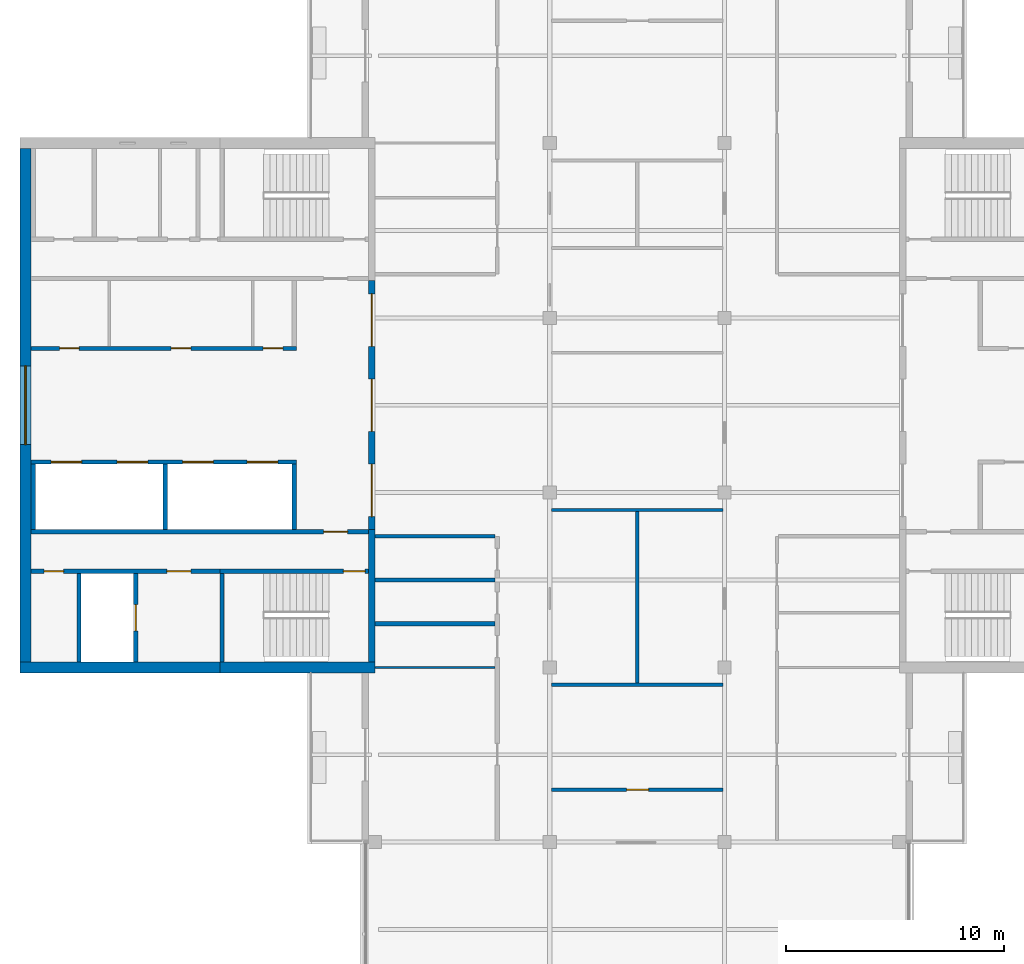
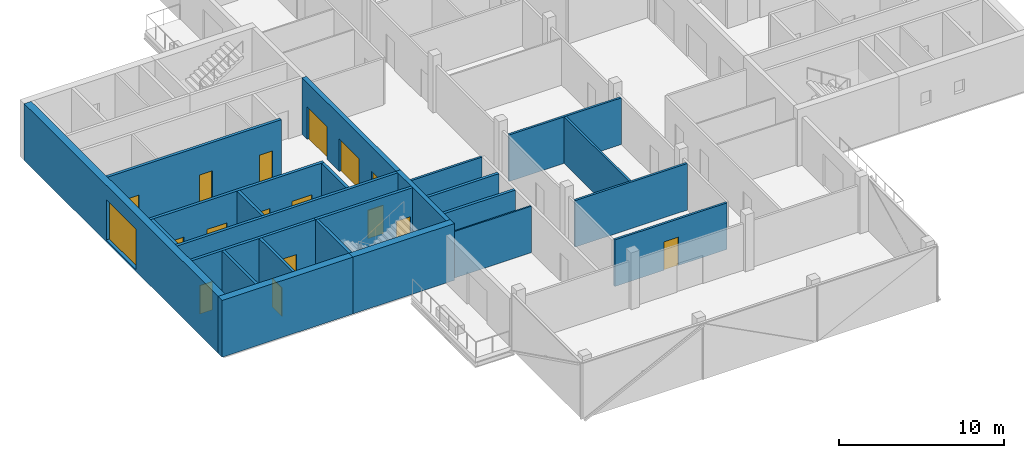
# One storey, part 5 of 12: 24 walls, 16 doors, 1 window, 17 openings.
"""IFC4 building model written with IfcOpenShell, lengths in metres."""

from ifc_helpers import new_model, si_unit, direction, frame, frame_2d, origin, place, context, subcontext, project, spatial, rectangle, extrude, material, layer, layer_set, constituent, constituent_set, type_object, element, fill, save


model = new_model("IFC4")

# Units and contexts
model_context = context("Model", 3, precision=1e-05, world=origin(), true_north=direction((0.0, 1.0)))
body_context = subcontext(model_context, "Body", "Model", "MODEL_VIEW")
ifc_project = project(units=[si_unit("LENGTHUNIT", "METRE"), si_unit("AREAUNIT", "SQUARE_METRE"), si_unit("VOLUMEUNIT", "CUBIC_METRE"), si_unit("PLANEANGLEUNIT", "RADIAN"), si_unit("MASSUNIT", "GRAM", prefix="KILO")], contexts=[model_context])

# Site, building, storey
site_placement = place(None, origin())
site = spatial("IfcSite", under=ifc_project, at=site_placement, CompositionType="ELEMENT")
building_placement = place(site_placement, origin())
building = spatial("IfcBuilding", under=site, at=building_placement, Name="Crosswind Convention Tower", CompositionType="ELEMENT")
storey_placement = place(building_placement, frame((0.0, 0.0, 311.300048828125)))
storey = spatial("IfcBuildingStorey", under=building, at=storey_placement, Name="L67", CompositionType="ELEMENT", Elevation=311.300048828125)

# Walls
ifc_material_1 = material(Name="Concrete blockwork", Category="masonry")
ifc_layer_1 = layer(ifc_material_1, 0.199951171875)
ifc_layer_set_1 = layer_set([ifc_layer_1], Name="COMPARTMENT WALL 200 BLOCKWORK")
wall_type_1 = type_object("IfcWallType", Name="COMPARTMENT WALL 200 BLOCKWORK", PredefinedType="SOLIDWALL", material=ifc_layer_set_1)
for number, where, z_axis, x_axis, name in (
    (1, (113.0, 90.0, 0.0), (0.0, 0.0, 1.0), (1.0, 0.0, 0.0), "Compartment wall WT42"),
    (2, (113.0, 92.0, 0.0), (0.0, 0.0, 1.0), (1.0, 0.0, 0.0), "Compartment wall WT42"),
):
    element("IfcWall", number, at=place(storey_placement, frame(where, z_axis=z_axis, x_axis=x_axis)), inside=storey, type_object=wall_type_1, Name=name, PredefinedType="SOLIDWALL", context=body_context, shape_type="SweptSolid", body=[
        extrude(rectangle(XDim=5.5, YDim=0.199951171875, at=frame_2d((2.75, 0.0))), origin(), (0.0, 0.0, 1.0), 3.44287109375),
    ])

# Wall, openings, doors
ifc_material_2 = material(Name="Concrete C50/60", Category="concrete")
ifc_layer_2 = layer(ifc_material_2, 0.300048828125)
ifc_layer_set_2 = layer_set([ifc_layer_2], Name="Concrete C50/60")
wall_type_2 = type_object("IfcWallType", Name="Concrete inner core wall 300", PredefinedType="SHEAR", material=ifc_layer_set_2)
wall_1_placement = place(storey_placement, frame((112.85009765625, 105.699951171875, 0.0), z_axis=(0.0, 0.0, 1.0), x_axis=(0.0, -1.0, 0.0)))
wall_1 = element("IfcWall", 3, at=wall_1_placement, inside=storey, type_object=wall_type_2, Name="Wall SCR W L67", PredefinedType="SHEAR", context=body_context, shape_type="SweptSolid", body=[
    extrude(rectangle(XDim=11.39990234375, YDim=0.300048828125, at=frame_2d((5.699951171875, 0.0))), origin(), (0.0, 0.0, 1.0), 4.199951171875),
])
opening_1_placement = place(wall_1_placement, frame((0.60009765625, 0.0, 0.0)))
opening_1 = element("IfcOpeningElement", 4, at=opening_1_placement, cuts=wall_1, Name="Opening D100", PredefinedType="OPENING", context=body_context, shape_type="SweptSolid", body=[
    extrude(rectangle(XDim=2.39990234375, YDim=2.39990234375, at=frame_2d((1.199951171875, 1.199951171875))), frame((0.0, 0.159912109375, 0.0), z_axis=(0.0, -1.0, 0.0), x_axis=(1.0, 0.0, 0.0)), (0.0, 0.0, 1.0), 0.320068359375),
])
opening_2_placement = place(wall_1_placement, frame((4.5, 0.0, 0.0)))
opening_2 = element("IfcOpeningElement", 5, at=opening_2_placement, cuts=wall_1, Name="Opening D100", PredefinedType="OPENING", context=body_context, shape_type="SweptSolid", body=[
    extrude(rectangle(XDim=2.39990234375, YDim=2.39990234375, at=frame_2d((1.199951171875, 1.199951171875))), frame((0.0, 0.159912109375, 0.0), z_axis=(0.0, -1.0, 0.0), x_axis=(1.0, 0.0, 0.0)), (0.0, 0.0, 1.0), 0.320068359375),
])
opening_3_placement = place(wall_1_placement, frame((8.39990234375, 0.0, 0.0)))
opening_3 = element("IfcOpeningElement", 6, at=opening_3_placement, cuts=wall_1, Name="Opening D100", PredefinedType="OPENING", context=body_context, shape_type="SweptSolid", body=[
    extrude(rectangle(XDim=2.39990234375, YDim=2.39990234375, at=frame_2d((1.199951171875, 1.199951171875))), frame((0.0, 0.159912109375, 0.0), z_axis=(0.0, -1.0, 0.0), x_axis=(1.0, 0.0, 0.0)), (0.0, 0.0, 1.0), 0.320068359375),
])
ifc_material_3 = material(Name="Steel fire door with glazed vision panels", Category="steel")
door_type_1 = type_object("IfcDoorType", Name="Fire-rated double door 2400x2400", OperationType="DOUBLE_DOOR_SINGLE_SWING", PredefinedType="DOOR", material=ifc_material_3)
door_1_placement = place(opening_1_placement, origin())
door_1 = element("IfcDoor", 7, at=door_1_placement, inside=storey, type_object=door_type_1, Name="Lobby door 1 L67", ObjectType="D100", OperationType="DOUBLE_DOOR_SINGLE_SWING", OverallHeight=2.39990234375, OverallWidth=2.39990234375, PredefinedType="DOOR", context=body_context, shape_type="SweptSolid", body=[
    extrude(rectangle(XDim=2.39990234375, YDim=2.39990234375, at=frame_2d((1.199951171875, 1.199951171875))), frame((0.0, 0.02490234375, 0.0), z_axis=(0.0, -1.0, 0.0), x_axis=(1.0, 0.0, 0.0)), (0.0, 0.0, 1.0), 0.050048828125),
])
fill(opening_1, door_1)
door_2_placement = place(opening_2_placement, origin())
door_2 = element("IfcDoor", 8, at=door_2_placement, inside=storey, type_object=door_type_1, Name="Lobby door 2 L67", ObjectType="D100", OperationType="DOUBLE_DOOR_SINGLE_SWING", OverallHeight=2.39990234375, OverallWidth=2.39990234375, PredefinedType="DOOR", context=body_context, shape_type="SweptSolid", body=[
    extrude(rectangle(XDim=2.39990234375, YDim=2.39990234375, at=frame_2d((1.199951171875, 1.199951171875))), frame((0.0, 0.02490234375, 0.0), z_axis=(0.0, -1.0, 0.0), x_axis=(1.0, 0.0, 0.0)), (0.0, 0.0, 1.0), 0.050048828125),
])
fill(opening_2, door_2)
door_3_placement = place(opening_3_placement, origin())
door_3 = element("IfcDoor", 9, at=door_3_placement, inside=storey, type_object=door_type_1, Name="Lobby door 3 L67", ObjectType="D100", OperationType="DOUBLE_DOOR_SINGLE_SWING", OverallHeight=2.39990234375, OverallWidth=2.39990234375, PredefinedType="DOOR", context=body_context, shape_type="SweptSolid", body=[
    extrude(rectangle(XDim=2.39990234375, YDim=2.39990234375, at=frame_2d((1.199951171875, 1.199951171875))), frame((0.0, 0.02490234375, 0.0), z_axis=(0.0, -1.0, 0.0), x_axis=(1.0, 0.0, 0.0)), (0.0, 0.0, 1.0), 0.050048828125),
])
fill(opening_3, door_3)

# Walls
wall_2_placement = place(storey_placement, frame((112.85009765625, 94.300048828125, 0.0), z_axis=(0.0, 0.0, 1.0), x_axis=(0.0, -1.0, 0.0)))
element("IfcWall", 10, at=wall_2_placement, inside=storey, type_object=wall_type_2, Name="Wall EP W L67", PredefinedType="SHEAR", context=body_context, shape_type="SweptSolid", body=[
    extrude(rectangle(XDim=6.050048828125, YDim=0.300048828125, at=frame_2d((3.02490234375, 0.0))), origin(), (0.0, 0.0, 1.0), 4.199951171875),
])
ifc_layer_3 = layer(ifc_material_2, 0.199951171875)
ifc_layer_set_3 = layer_set([ifc_layer_3], Name="Concrete C50/60")
wall_type_3 = type_object("IfcWallType", Name="Concrete shaft and stair wall 200", PredefinedType="SHEAR", material=ifc_layer_set_3)
for number, where, z_axis, x_axis, name in (
    (11, (109.300048828125, 97.300048828125, 0.0), (0.0, 0.0, 1.0), (0.0, -1.0, 0.0), "Wall RPEND W L67"),
    (12, (103.39990234375, 97.300048828125, 0.0), (0.0, 0.0, 1.0), (0.0, -1.0, 0.0), "Wall RPSEP W L67"),
    (13, (97.35009765625, 97.300048828125, 0.0), (0.0, 0.0, 1.0), (0.0, -1.0, 0.0), "Wall RPEAST W L67"),
):
    element("IfcWall", number, at=place(storey_placement, frame(where, z_axis=z_axis, x_axis=x_axis)), inside=storey, type_object=wall_type_3, Name=name, PredefinedType="SHEAR", context=body_context, shape_type="SweptSolid", body=[
        extrude(rectangle(XDim=3.0, YDim=0.199951171875, at=frame_2d((1.5, 0.0))), origin(), (0.0, 0.0, 1.0), 4.199951171875),
    ])

# Wall, openings, doors
wall_3_placement = place(storey_placement, frame((109.39990234375, 97.39990234375, 0.0), z_axis=(0.0, 0.0, 1.0), x_axis=(-1.0, 0.0, 0.0)))
wall_3 = element("IfcWall", 14, at=wall_3_placement, inside=storey, type_object=wall_type_3, Name="Wall RPFRONT W L67", PredefinedType="SHEAR", context=body_context, shape_type="SweptSolid", body=[
    extrude(rectangle(XDim=12.14990234375, YDim=0.199951171875, at=frame_2d((6.074951171875, 0.0))), origin(), (0.0, 0.0, 1.0), 4.199951171875),
])
opening_4_placement = place(wall_3_placement, frame((0.85009765625, 0.0, 0.0)))
opening_4 = element("IfcOpeningElement", 15, at=opening_4_placement, cuts=wall_3, Name="Opening LD2", PredefinedType="OPENING", context=body_context, shape_type="SweptSolid", body=[
    extrude(rectangle(XDim=1.39990234375, YDim=2.10009765625, at=frame_2d((0.699951171875, 1.050048828125))), frame((0.0, 0.10986328125, 0.0), z_axis=(0.0, -1.0, 0.0), x_axis=(1.0, 0.0, 0.0)), (0.0, 0.0, 1.0), 0.219970703125),
])
opening_5_placement = place(wall_3_placement, frame((3.800048828125, 0.0, 0.0)))
opening_5 = element("IfcOpeningElement", 16, at=opening_5_placement, cuts=wall_3, Name="Opening LD2", PredefinedType="OPENING", context=body_context, shape_type="SweptSolid", body=[
    extrude(rectangle(XDim=1.39990234375, YDim=2.10009765625, at=frame_2d((0.699951171875, 1.050048828125))), frame((0.0, 0.10986328125, 0.0), z_axis=(0.0, -1.0, 0.0), x_axis=(1.0, 0.0, 0.0)), (0.0, 0.0, 1.0), 0.219970703125),
])
opening_6_placement = place(wall_3_placement, frame((6.800048828125, 0.0, 0.0)))
opening_6 = element("IfcOpeningElement", 17, at=opening_6_placement, cuts=wall_3, Name="Opening LD2", PredefinedType="OPENING", context=body_context, shape_type="SweptSolid", body=[
    extrude(rectangle(XDim=1.39990234375, YDim=2.10009765625, at=frame_2d((0.699951171875, 1.050048828125))), frame((0.0, 0.10986328125, 0.0), z_axis=(0.0, -1.0, 0.0), x_axis=(1.0, 0.0, 0.0)), (0.0, 0.0, 1.0), 0.219970703125),
])
opening_7_placement = place(wall_3_placement, frame((9.824951171875, 0.0, 0.0)))
opening_7 = element("IfcOpeningElement", 18, at=opening_7_placement, cuts=wall_3, Name="Opening LD2", PredefinedType="OPENING", context=body_context, shape_type="SweptSolid", body=[
    extrude(rectangle(XDim=1.39990234375, YDim=2.10009765625, at=frame_2d((0.699951171875, 1.050048828125))), frame((0.0, 0.10986328125, 0.0), z_axis=(0.0, -1.0, 0.0), x_axis=(1.0, 0.0, 0.0)), (0.0, 0.0, 1.0), 0.219970703125),
])
ifc_material_4 = material(Name="Stainless steel", Category="steel")
door_type_2 = type_object("IfcDoorType", Name="Lift landing door 1400x2100", OperationType="DOUBLE_DOOR_SLIDING", PredefinedType="DOOR", material=ifc_material_4)
door_4_placement = place(opening_4_placement, origin())
door_4 = element("IfcDoor", 19, at=door_4_placement, inside=storey, type_object=door_type_2, Name="Landing door HR1 L67", ObjectType="LD2", OperationType="DOUBLE_DOOR_SLIDING", OverallHeight=2.10009765625, OverallWidth=1.39990234375, PredefinedType="DOOR", context=body_context, shape_type="SweptSolid", body=[
    extrude(rectangle(XDim=1.39990234375, YDim=2.10009765625, at=frame_2d((0.699951171875, 1.050048828125))), frame((0.0, 0.02490234375, 0.0), z_axis=(0.0, -1.0, 0.0), x_axis=(1.0, 0.0, 0.0)), (0.0, 0.0, 1.0), 0.050048828125),
])
fill(opening_4, door_4)
door_5_placement = place(opening_5_placement, origin())
door_5 = element("IfcDoor", 20, at=door_5_placement, inside=storey, type_object=door_type_2, Name="Landing door HR2 L67", ObjectType="LD2", OperationType="DOUBLE_DOOR_SLIDING", OverallHeight=2.10009765625, OverallWidth=1.39990234375, PredefinedType="DOOR", context=body_context, shape_type="SweptSolid", body=[
    extrude(rectangle(XDim=1.39990234375, YDim=2.10009765625, at=frame_2d((0.699951171875, 1.050048828125))), frame((0.0, 0.02490234375, 0.0), z_axis=(0.0, -1.0, 0.0), x_axis=(1.0, 0.0, 0.0)), (0.0, 0.0, 1.0), 0.050048828125),
])
fill(opening_5, door_5)
door_6_placement = place(opening_6_placement, origin())
door_6 = element("IfcDoor", 21, at=door_6_placement, inside=storey, type_object=door_type_2, Name="Landing door HR3 L67", ObjectType="LD2", OperationType="DOUBLE_DOOR_SLIDING", OverallHeight=2.10009765625, OverallWidth=1.39990234375, PredefinedType="DOOR", context=body_context, shape_type="SweptSolid", body=[
    extrude(rectangle(XDim=1.39990234375, YDim=2.10009765625, at=frame_2d((0.699951171875, 1.050048828125))), frame((0.0, 0.02490234375, 0.0), z_axis=(0.0, -1.0, 0.0), x_axis=(1.0, 0.0, 0.0)), (0.0, 0.0, 1.0), 0.050048828125),
])
fill(opening_6, door_6)
door_7_placement = place(opening_7_placement, origin())
door_7 = element("IfcDoor", 22, at=door_7_placement, inside=storey, type_object=door_type_2, Name="Landing door HR4 L67", ObjectType="LD2", OperationType="DOUBLE_DOOR_SLIDING", OverallHeight=2.10009765625, OverallWidth=1.39990234375, PredefinedType="DOOR", context=body_context, shape_type="SweptSolid", body=[
    extrude(rectangle(XDim=1.39990234375, YDim=2.10009765625, at=frame_2d((0.699951171875, 1.050048828125))), frame((0.0, 0.02490234375, 0.0), z_axis=(0.0, -1.0, 0.0), x_axis=(1.0, 0.0, 0.0)), (0.0, 0.0, 1.0), 0.050048828125),
])
fill(opening_7, door_7)

wall_4_placement = place(storey_placement, frame((109.39990234375, 102.60009765625, 0.0), z_axis=(0.0, 0.0, 1.0), x_axis=(-1.0, 0.0, 0.0)))
wall_4 = element("IfcWall", 23, at=wall_4_placement, inside=storey, type_object=wall_type_3, Name="Wall RMFRONT W L67", PredefinedType="SHEAR", context=body_context, shape_type="SweptSolid", body=[
    extrude(rectangle(XDim=12.14990234375, YDim=0.199951171875, at=frame_2d((6.074951171875, 0.0))), origin(), (0.0, 0.0, 1.0), 4.199951171875),
])
opening_8_placement = place(wall_4_placement, frame((0.614990234375, 0.0, 0.0)))
opening_8 = element("IfcOpeningElement", 24, at=opening_8_placement, cuts=wall_4, Name="Opening D106", PredefinedType="OPENING", context=body_context, shape_type="SweptSolid", body=[
    extrude(rectangle(XDim=0.89990234375, YDim=2.10009765625, at=frame_2d((0.449951171875, 1.050048828125))), frame((0.0, 0.10986328125, 0.0), z_axis=(0.0, -1.0, 0.0), x_axis=(1.0, 0.0, 0.0)), (0.0, 0.0, 1.0), 0.219970703125),
])
opening_9_placement = place(wall_4_placement, frame((4.828857421875, 0.0, 0.0)))
opening_9 = element("IfcOpeningElement", 25, at=opening_9_placement, cuts=wall_4, Name="Opening D106", PredefinedType="OPENING", context=body_context, shape_type="SweptSolid", body=[
    extrude(rectangle(XDim=0.89990234375, YDim=2.10009765625, at=frame_2d((0.449951171875, 1.050048828125))), frame((0.0, 0.10986328125, 0.0), z_axis=(0.0, -1.0, 0.0), x_axis=(1.0, 0.0, 0.0)), (0.0, 0.0, 1.0), 0.219970703125),
])
opening_10_placement = place(wall_4_placement, frame((9.938720703125, 0.0, 0.0)))
opening_10 = element("IfcOpeningElement", 26, at=opening_10_placement, cuts=wall_4, Name="Opening D106", PredefinedType="OPENING", context=body_context, shape_type="SweptSolid", body=[
    extrude(rectangle(XDim=0.89990234375, YDim=2.10009765625, at=frame_2d((0.449951171875, 1.050048828125))), frame((0.0, 0.10986328125, 0.0), z_axis=(0.0, -1.0, 0.0), x_axis=(1.0, 0.0, 0.0)), (0.0, 0.0, 1.0), 0.219970703125),
])
ifc_material_5 = material(Name="Timber door", Category="wood")
door_type_3 = type_object("IfcDoorType", Name="Single leaf door 900x2100", OperationType="NOTDEFINED", PredefinedType="DOOR", material=ifc_material_5)
door_8_placement = place(opening_8_placement, frame((0.89990234375, 0.0, 0.0), z_axis=(0.0, 0.0, 1.0), x_axis=(-1.0, 0.0, 0.0)))
door_8 = element("IfcDoor", 27, at=door_8_placement, inside=storey, type_object=door_type_3, Name="Door to pantry L67", ObjectType="D106", OperationType="SINGLE_SWING_LEFT", OverallHeight=2.10009765625, OverallWidth=0.89990234375, PredefinedType="DOOR", context=body_context, shape_type="SweptSolid", body=[
    extrude(rectangle(XDim=0.89990234375, YDim=2.10009765625, at=frame_2d((0.449951171875, 1.050048828125))), frame((0.0, 0.02490234375, 0.0), z_axis=(0.0, -1.0, 0.0), x_axis=(1.0, 0.0, 0.0)), (0.0, 0.0, 1.0), 0.050048828125),
])
fill(opening_8, door_8)
door_9_placement = place(opening_9_placement, frame((0.89990234375, 0.0, 0.0), z_axis=(0.0, 0.0, 1.0), x_axis=(-1.0, 0.0, 0.0)))
door_9 = element("IfcDoor", 28, at=door_9_placement, inside=storey, type_object=door_type_3, Name="Door to telecoms room L67", ObjectType="D106", OperationType="SINGLE_SWING_LEFT", OverallHeight=2.10009765625, OverallWidth=0.89990234375, PredefinedType="DOOR", context=body_context, shape_type="SweptSolid", body=[
    extrude(rectangle(XDim=0.89990234375, YDim=2.10009765625, at=frame_2d((0.449951171875, 1.050048828125))), frame((0.0, 0.02490234375, 0.0), z_axis=(0.0, -1.0, 0.0), x_axis=(1.0, 0.0, 0.0)), (0.0, 0.0, 1.0), 0.050048828125),
])
fill(opening_9, door_9)
door_10_placement = place(opening_10_placement, frame((0.89990234375, 0.0, 0.0), z_axis=(0.0, 0.0, 1.0), x_axis=(-1.0, 0.0, 0.0)))
door_10 = element("IfcDoor", 29, at=door_10_placement, inside=storey, type_object=door_type_3, Name="Door to storeroom L67", ObjectType="D106", OperationType="SINGLE_SWING_LEFT", OverallHeight=2.10009765625, OverallWidth=0.89990234375, PredefinedType="DOOR", context=body_context, shape_type="SweptSolid", body=[
    extrude(rectangle(XDim=0.89990234375, YDim=2.10009765625, at=frame_2d((0.449951171875, 1.050048828125))), frame((0.0, 0.02490234375, 0.0), z_axis=(0.0, -1.0, 0.0), x_axis=(1.0, 0.0, 0.0)), (0.0, 0.0, 1.0), 0.050048828125),
])
fill(opening_10, door_10)

# Wall, opening, door
wall_5_placement = place(storey_placement, frame((112.699951171875, 94.199951171875, 0.0), z_axis=(0.0, 0.0, 1.0), x_axis=(-1.0, 0.0, 0.0)))
wall_5 = element("IfcWall", 30, at=wall_5_placement, inside=storey, type_object=wall_type_3, Name="Wall HP W L67", PredefinedType="SHEAR", context=body_context, shape_type="SweptSolid", body=[
    extrude(rectangle(XDim=15.449951171875, YDim=0.199951171875, at=frame_2d((7.72509765625, 0.0))), origin(), (0.0, 0.0, 1.0), 4.199951171875),
])
opening_11_placement = place(wall_5_placement, frame((0.949951171875, 0.0, 0.0)))
opening_11 = element("IfcOpeningElement", 31, at=opening_11_placement, cuts=wall_5, Name="Opening D104", PredefinedType="OPENING", context=body_context, shape_type="SweptSolid", body=[
    extrude(rectangle(XDim=1.10009765625, YDim=2.10009765625, at=frame_2d((0.550048828125, 1.050048828125))), frame((0.0, 0.10986328125, 0.0), z_axis=(0.0, -1.0, 0.0), x_axis=(1.0, 0.0, 0.0)), (0.0, 0.0, 1.0), 0.219970703125),
])
ifc_material_6 = material(Name="Steel fire door", Category="steel")
door_type_4 = type_object("IfcDoorType", Name="Fire-rated single door 1100x2100", OperationType="NOTDEFINED", PredefinedType="DOOR", material=ifc_material_6)
door_11_placement = place(opening_11_placement, origin())
door_11 = element("IfcDoor", 32, at=door_11_placement, inside=storey, type_object=door_type_4, Name="Corridor door L67", ObjectType="D104", OperationType="SINGLE_SWING_LEFT", OverallHeight=2.10009765625, OverallWidth=1.10009765625, PredefinedType="DOOR", context=body_context, shape_type="SweptSolid", body=[
    extrude(rectangle(XDim=1.10009765625, YDim=2.10009765625, at=frame_2d((0.550048828125, 1.050048828125))), frame((0.0, 0.02490234375, 0.0), z_axis=(0.0, -1.0, 0.0), x_axis=(1.0, 0.0, 0.0)), (0.0, 0.0, 1.0), 0.050048828125),
])
fill(opening_11, door_11)

# Wall
wall_6_placement = place(storey_placement, frame((106.0, 92.300048828125, 0.0), z_axis=(0.0, 0.0, 1.0), x_axis=(0.0, -1.0, 0.0)))
element("IfcWall", 33, at=wall_6_placement, inside=storey, type_object=wall_type_3, Name="Wall PSE W L67", PredefinedType="SHEAR", context=body_context, shape_type="SweptSolid", body=[
    extrude(rectangle(XDim=4.050048828125, YDim=0.199951171875, at=frame_2d((2.02490234375, 0.0))), origin(), (0.0, 0.0, 1.0), 4.199951171875),
])

# Wall, opening, door
wall_7_placement = place(storey_placement, frame((102.050048828125, 92.300048828125, 0.0), z_axis=(0.0, 0.0, 1.0), x_axis=(0.0, -1.0, 0.0)))
wall_7 = element("IfcWall", 34, at=wall_7_placement, inside=storey, type_object=wall_type_3, Name="Wall PFLW W L67", PredefinedType="SHEAR", context=body_context, shape_type="SweptSolid", body=[
    extrude(rectangle(XDim=4.050048828125, YDim=0.199951171875, at=frame_2d((2.02490234375, 0.0))), origin(), (0.0, 0.0, 1.0), 4.199951171875),
])
opening_12_placement = place(wall_7_placement, frame((1.425048828125, 0.0, 0.0)))
opening_12 = element("IfcOpeningElement", 35, at=opening_12_placement, cuts=wall_7, Name="Opening LD1", PredefinedType="OPENING", context=body_context, shape_type="SweptSolid", body=[
    extrude(rectangle(XDim=1.199951171875, YDim=2.10009765625, at=frame_2d((0.60009765625, 1.050048828125))), frame((0.0, 0.10986328125, 0.0), z_axis=(0.0, -1.0, 0.0), x_axis=(1.0, 0.0, 0.0)), (0.0, 0.0, 1.0), 0.219970703125),
])
door_type_5 = type_object("IfcDoorType", Name="Lift landing door 1200x2100", OperationType="DOUBLE_DOOR_SLIDING", PredefinedType="DOOR", material=ifc_material_4)
door_12_placement = place(opening_12_placement, origin())
door_12 = element("IfcDoor", 36, at=door_12_placement, inside=storey, type_object=door_type_5, Name="Landing door FF2 L67", ObjectType="LD1", OperationType="DOUBLE_DOOR_SLIDING", OverallHeight=2.10009765625, OverallWidth=1.199951171875, PredefinedType="DOOR", context=body_context, shape_type="SweptSolid", body=[
    extrude(rectangle(XDim=1.199951171875, YDim=2.10009765625, at=frame_2d((0.60009765625, 1.050048828125))), frame((0.0, 0.02490234375, 0.0), z_axis=(0.0, -1.0, 0.0), x_axis=(1.0, 0.0, 0.0)), (0.0, 0.0, 1.0), 0.050048828125),
])
fill(opening_12, door_12)

# Wall
wall_8_placement = place(storey_placement, frame((99.449951171875, 92.300048828125, 0.0), z_axis=(0.0, 0.0, 1.0), x_axis=(0.0, -1.0, 0.0)))
element("IfcWall", 37, at=wall_8_placement, inside=storey, type_object=wall_type_3, Name="Wall PFSE W L67", PredefinedType="SHEAR", context=body_context, shape_type="SweptSolid", body=[
    extrude(rectangle(XDim=4.050048828125, YDim=0.199951171875, at=frame_2d((2.02490234375, 0.0))), origin(), (0.0, 0.0, 1.0), 4.199951171875),
])

# Wall, opening, door
wall_9_placement = place(storey_placement, frame((112.699951171875, 92.39990234375, 0.0), z_axis=(0.0, 0.0, 1.0), x_axis=(-1.0, 0.0, 0.0)))
wall_9 = element("IfcWall", 38, at=wall_9_placement, inside=storey, type_object=wall_type_3, Name="Wall PCW W L67", PredefinedType="SHEAR", context=body_context, shape_type="SweptSolid", body=[
    extrude(rectangle(XDim=6.800048828125, YDim=0.199951171875, at=frame_2d((3.39990234375, 0.0))), origin(), (0.0, 0.0, 1.0), 4.199951171875),
])
opening_13_placement = place(wall_9_placement, frame((0.14990234375, 0.0, 0.0)))
opening_13 = element("IfcOpeningElement", 39, at=opening_13_placement, cuts=wall_9, Name="Opening D103", PredefinedType="OPENING", context=body_context, shape_type="SweptSolid", body=[
    extrude(rectangle(XDim=1.0, YDim=2.10009765625, at=frame_2d((0.5, 1.050048828125))), frame((0.0, 0.10986328125, 0.0), z_axis=(0.0, -1.0, 0.0), x_axis=(1.0, 0.0, 0.0)), (0.0, 0.0, 1.0), 0.219970703125),
])
door_type_6 = type_object("IfcDoorType", Name="Fire-rated single door 1000x2100", OperationType="NOTDEFINED", PredefinedType="DOOR", material=ifc_material_6)
door_13_placement = place(opening_13_placement, origin())
door_13 = element("IfcDoor", 40, at=door_13_placement, inside=storey, type_object=door_type_6, Name="Stair ST3 door L67", ObjectType="D103", OperationType="SINGLE_SWING_LEFT", OverallHeight=2.10009765625, OverallWidth=1.0, PredefinedType="DOOR", context=body_context, shape_type="SweptSolid", body=[
    extrude(rectangle(XDim=1.0, YDim=2.10009765625, at=frame_2d((0.5, 1.050048828125))), frame((0.0, 0.02490234375, 0.0), z_axis=(0.0, -1.0, 0.0), x_axis=(1.0, 0.0, 0.0)), (0.0, 0.0, 1.0), 0.050048828125),
])
fill(opening_13, door_13)

# Wall, openings, doors
wall_10_placement = place(storey_placement, frame((105.89990234375, 92.39990234375, 0.0), z_axis=(0.0, 0.0, 1.0), x_axis=(-1.0, 0.0, 0.0)))
wall_10 = element("IfcWall", 41, at=wall_10_placement, inside=storey, type_object=wall_type_3, Name="Wall PCX W L67", PredefinedType="SHEAR", context=body_context, shape_type="SweptSolid", body=[
    extrude(rectangle(XDim=8.64990234375, YDim=0.199951171875, at=frame_2d((4.324951171875, 0.0))), origin(), (0.0, 0.0, 1.0), 4.199951171875),
])
opening_14_placement = place(wall_10_placement, frame((1.324951171875, 0.0, 0.0)))
opening_14 = element("IfcOpeningElement", 42, at=opening_14_placement, cuts=wall_10, Name="Opening D104", PredefinedType="OPENING", context=body_context, shape_type="SweptSolid", body=[
    extrude(rectangle(XDim=1.10009765625, YDim=2.10009765625, at=frame_2d((0.550048828125, 1.050048828125))), frame((0.0, 0.10986328125, 0.0), z_axis=(0.0, -1.0, 0.0), x_axis=(1.0, 0.0, 0.0)), (0.0, 0.0, 1.0), 0.219970703125),
])
opening_15_placement = place(wall_10_placement, frame((7.14990234375, 0.0, 0.0)))
opening_15 = element("IfcOpeningElement", 43, at=opening_15_placement, cuts=wall_10, Name="Opening D106", PredefinedType="OPENING", context=body_context, shape_type="SweptSolid", body=[
    extrude(rectangle(XDim=0.89990234375, YDim=2.10009765625, at=frame_2d((0.449951171875, 1.050048828125))), frame((0.0, 0.10986328125, 0.0), z_axis=(0.0, -1.0, 0.0), x_axis=(1.0, 0.0, 0.0)), (0.0, 0.0, 1.0), 0.219970703125),
])
door_14_placement = place(opening_14_placement, origin())
door_14 = element("IfcDoor", 44, at=door_14_placement, inside=storey, type_object=door_type_4, Name="Fire-fighting lobby FF2 door L67", ObjectType="D104", OperationType="SINGLE_SWING_RIGHT", OverallHeight=2.10009765625, OverallWidth=1.10009765625, PredefinedType="DOOR", context=body_context, shape_type="SweptSolid", body=[
    extrude(rectangle(XDim=1.10009765625, YDim=2.10009765625, at=frame_2d((0.550048828125, 1.050048828125))), frame((0.0, 0.02490234375, 0.0), z_axis=(0.0, -1.0, 0.0), x_axis=(1.0, 0.0, 0.0)), (0.0, 0.0, 1.0), 0.050048828125),
])
fill(opening_14, door_14)
door_15_placement = place(opening_15_placement, origin())
door_15 = element("IfcDoor", 45, at=door_15_placement, inside=storey, type_object=door_type_3, Name="Door to comms room L67", ObjectType="D106", OperationType="SINGLE_SWING_RIGHT", OverallHeight=2.10009765625, OverallWidth=0.89990234375, PredefinedType="DOOR", context=body_context, shape_type="SweptSolid", body=[
    extrude(rectangle(XDim=0.89990234375, YDim=2.10009765625, at=frame_2d((0.449951171875, 1.050048828125))), frame((0.0, 0.02490234375, 0.0), z_axis=(0.0, -1.0, 0.0), x_axis=(1.0, 0.0, 0.0)), (0.0, 0.0, 1.0), 0.050048828125),
])
fill(opening_15, door_15)

# Walls
ifc_material_7 = material(Name="Plasterboard partition", Category="gypsum")
ifc_layer_4 = layer(ifc_material_7, 0.10009765625)
ifc_layer_set_4 = layer_set([ifc_layer_4], Name="PARTITION 100 METAL STUD")
wall_type_4 = type_object("IfcWallType", Name="PARTITION 100 METAL STUD", PredefinedType="PARTITIONING", material=ifc_layer_set_4)
wall_11_placement = place(storey_placement, frame((113.0, 88.0, 0.0), z_axis=(0.0, 0.0, 1.0), x_axis=(1.0, 0.0, 0.0)))
element("IfcWall", 46, at=wall_11_placement, inside=storey, type_object=wall_type_4, Name="Partition wall WT40", PredefinedType="PARTITIONING", context=body_context, shape_type="SweptSolid", body=[
    extrude(rectangle(XDim=5.5, YDim=0.10009765625, at=frame_2d((2.75, 0.0))), origin(), (0.0, 0.0, 1.0), 3.44287109375),
])
ifc_material_8 = material(Name="Fire-board partition with mineral wool", Category="gypsum")
ifc_layer_5 = layer(ifc_material_8, 0.14990234375)
ifc_layer_set_5 = layer_set([ifc_layer_5], Name="TENANCY WALL 150 TWO-HOUR BOARD")
wall_type_5 = type_object("IfcWallType", Name="TENANCY WALL 150 TWO-HOUR BOARD", PredefinedType="PARTITIONING", material=ifc_layer_set_5)
wall_12_placement = place(storey_placement, frame((125.0, 87.27490234375, 0.0), z_axis=(0.0, 0.0, 1.0), x_axis=(0.0, 1.0, 0.0)))
element("IfcWall", 47, at=wall_12_placement, inside=storey, type_object=wall_type_5, Name="Tenancy wall WT41", PredefinedType="PARTITIONING", context=body_context, shape_type="SweptSolid", body=[
    extrude(rectangle(XDim=7.85009765625, YDim=0.14990234375, at=frame_2d((3.925048828125, 0.0))), origin(), (0.0, 0.0, 1.0), 3.44287109375),
])

# Wall, opening, door
wall_13_placement = place(storey_placement, frame((121.074951171875, 82.39990234375, 0.0), z_axis=(0.0, 0.0, 1.0), x_axis=(1.0, 0.0, 0.0)))
wall_13 = element("IfcWall", 48, at=wall_13_placement, inside=storey, type_object=wall_type_5, Name="Tenancy wall WT41", PredefinedType="PARTITIONING", context=body_context, shape_type="SweptSolid", body=[
    extrude(rectangle(XDim=7.85009765625, YDim=0.14990234375, at=frame_2d((3.925048828125, 0.0))), origin(), (0.0, 0.0, 1.0), 3.44287109375),
])
opening_16_placement = place(wall_13_placement, frame((3.449951171875, 0.0, 0.0)))
opening_16 = element("IfcOpeningElement", 49, at=opening_16_placement, cuts=wall_13, Name="Opening L67-65", PredefinedType="OPENING", context=body_context, shape_type="SweptSolid", body=[
    extrude(rectangle(XDim=1.0, YDim=2.10009765625, at=frame_2d((0.5, 1.050048828125))), frame((0.0, 0.0849609375, 0.0), z_axis=(0.0, -1.0, 0.0), x_axis=(1.0, 0.0, 0.0)), (0.0, 0.0, 1.0), 0.169921875),
])
ifc_material_9 = material(Name="Timber fire door", Category="wood")
door_type_7 = type_object("IfcDoorType", Name="TENANCY ENTRANCE DOOR 1000X2100 FD30S", OperationType="NOTDEFINED", PredefinedType="DOOR", material=ifc_material_9)
door_16_placement = place(opening_16_placement, origin())
door_16 = element("IfcDoor", 50, at=door_16_placement, inside=storey, type_object=door_type_7, Name="Door L67-65", ObjectType="D41", OperationType="SINGLE_SWING_RIGHT", OverallHeight=2.10009765625, OverallWidth=1.0, PredefinedType="DOOR", context=body_context, shape_type="SweptSolid", body=[
    extrude(rectangle(XDim=1.0, YDim=2.10009765625, at=frame_2d((0.5, 1.050048828125))), frame((0.0, 0.02490234375, 0.0), z_axis=(0.0, -1.0, 0.0), x_axis=(1.0, 0.0, 0.0)), (0.0, 0.0, 1.0), 0.050048828125),
])
fill(opening_16, door_16)

# Walls
wall_14_placement = place(storey_placement, frame((121.074951171875, 87.199951171875, 0.0), z_axis=(0.0, 0.0, 1.0), x_axis=(1.0, 0.0, 0.0)))
element("IfcWall", 51, at=wall_14_placement, inside=storey, type_object=wall_type_5, Name="Tenancy wall WT41", PredefinedType="PARTITIONING", context=body_context, shape_type="SweptSolid", body=[
    extrude(rectangle(XDim=7.85009765625, YDim=0.14990234375, at=frame_2d((3.925048828125, 0.0))), origin(), (0.0, 0.0, 1.0), 3.44287109375),
])
wall_15_placement = place(storey_placement, frame((113.0, 94.0, 0.0), z_axis=(0.0, 0.0, 1.0), x_axis=(1.0, 0.0, 0.0)))
element("IfcWall", 52, at=wall_15_placement, inside=storey, type_object=wall_type_5, Name="Tenancy wall WT41", PredefinedType="PARTITIONING", context=body_context, shape_type="SweptSolid", body=[
    extrude(rectangle(XDim=5.5, YDim=0.14990234375, at=frame_2d((2.75, 0.0))), origin(), (0.0, 0.0, 1.0), 3.44287109375),
])
wall_16_placement = place(storey_placement, frame((121.074951171875, 95.199951171875, 0.0), z_axis=(0.0, 0.0, 1.0), x_axis=(1.0, 0.0, 0.0)))
element("IfcWall", 53, at=wall_16_placement, inside=storey, type_object=wall_type_5, Name="Tenancy wall WT41", PredefinedType="PARTITIONING", context=body_context, shape_type="SweptSolid", body=[
    extrude(rectangle(XDim=7.85009765625, YDim=0.14990234375, at=frame_2d((3.925048828125, 0.0))), origin(), (0.0, 0.0, 1.0), 3.44287109375),
])
ifc_material_10 = material(Name="Concrete C60/75", Category="concrete")
ifc_constituent_1 = constituent(ifc_material_10, Name="Structure")
ifc_material_11 = material(Name="Terracotta rainscreen", Category="ceramic")
ifc_constituent_2 = constituent(ifc_material_11, Name="Facing")
ifc_constituent_set = constituent_set(constituents=[ifc_constituent_1, ifc_constituent_2], Name="Concrete C60/75, Terracotta rainscreen")
wall_type_6 = type_object("IfcWallType", Name="Terracotta rainscreen on concrete core wall 500", PredefinedType="SHEAR", material=ifc_constituent_set)
wall_17_placement = place(storey_placement, frame((113.0, 88.0, 0.0), z_axis=(0.0, 0.0, 1.0), x_axis=(-1.0, 0.0, 0.0)))
element("IfcWall", 54, at=wall_17_placement, inside=storey, type_object=wall_type_6, Name="Wall N1 W L67", PredefinedType="SHEAR", context=body_context, shape_type="SweptSolid", body=[
    extrude(rectangle(XDim=7.10009765625, YDim=0.5, at=frame_2d((3.550048828125, 0.0))), origin(), (0.0, 0.0, 1.0), 4.199951171875),
])
wall_18_placement = place(storey_placement, frame((105.89990234375, 88.0, 0.0), z_axis=(0.0, 0.0, 1.0), x_axis=(-1.0, 0.0, 0.0)))
element("IfcWall", 55, at=wall_18_placement, inside=storey, type_object=wall_type_6, Name="Wall N2 W L67", PredefinedType="SHEAR", context=body_context, shape_type="SweptSolid", body=[
    extrude(rectangle(XDim=9.14990234375, YDim=0.5, at=frame_2d((4.574951171875, 0.0))), origin(), (0.0, 0.0, 1.0), 4.199951171875),
])

# Wall, opening, window
wall_19_placement = place(storey_placement, frame((97.0, 111.75, 0.0), z_axis=(0.0, 0.0, 1.0), x_axis=(0.0, -1.0, 0.0)))
wall_19 = element("IfcWall", 56, at=wall_19_placement, inside=storey, type_object=wall_type_6, Name="Wall O W L67", PredefinedType="SHEAR", context=body_context, shape_type="SweptSolid", body=[
    extrude(rectangle(XDim=23.5, YDim=0.5, at=frame_2d((11.75, 0.0))), origin(), (0.0, 0.0, 1.0), 4.199951171875),
])
opening_17_placement = place(wall_19_placement, frame((9.949951171875, 0.0, 0.14990234375)))
opening_17 = element("IfcOpeningElement", 57, at=opening_17_placement, cuts=wall_19, Name="Opening W1", PredefinedType="OPENING", context=body_context, shape_type="SweptSolid", body=[
    extrude(rectangle(XDim=3.60009765625, YDim=3.0, at=frame_2d((1.800048828125, 1.5))), frame((0.0, 0.260009765625, 0.0), z_axis=(0.0, -1.0, 0.0), x_axis=(1.0, 0.0, 0.0)), (0.0, 0.0, 1.0), 0.52001953125),
])
ifc_material_12 = material(Name="Clear laminated glass in aluminium frame", Category="aluminium")
window_type = type_object("IfcWindowType", Name="Lobby end window 3600x3000", PartitioningType="SINGLE_PANEL", PredefinedType="WINDOW", material=ifc_material_12)
window_placement = place(opening_17_placement, origin())
window = element("IfcWindow", 58, at=window_placement, inside=storey, type_object=window_type, Name="Lobby end window L67", ObjectType="W1", OverallHeight=3.0, OverallWidth=3.60009765625, PartitioningType="SINGLE_PANEL", PredefinedType="WINDOW", context=body_context, shape_type="SweptSolid", body=[
    extrude(rectangle(XDim=3.60009765625, YDim=3.0, at=frame_2d((1.800048828125, 1.5))), frame((0.0, 0.030029296875, 0.0), z_axis=(0.0, -1.0, 0.0), x_axis=(1.0, 0.0, 0.0)), (0.0, 0.0, 1.0), 0.06005859375),
])
fill(opening_17, window)

save(model, "model.ifc")
